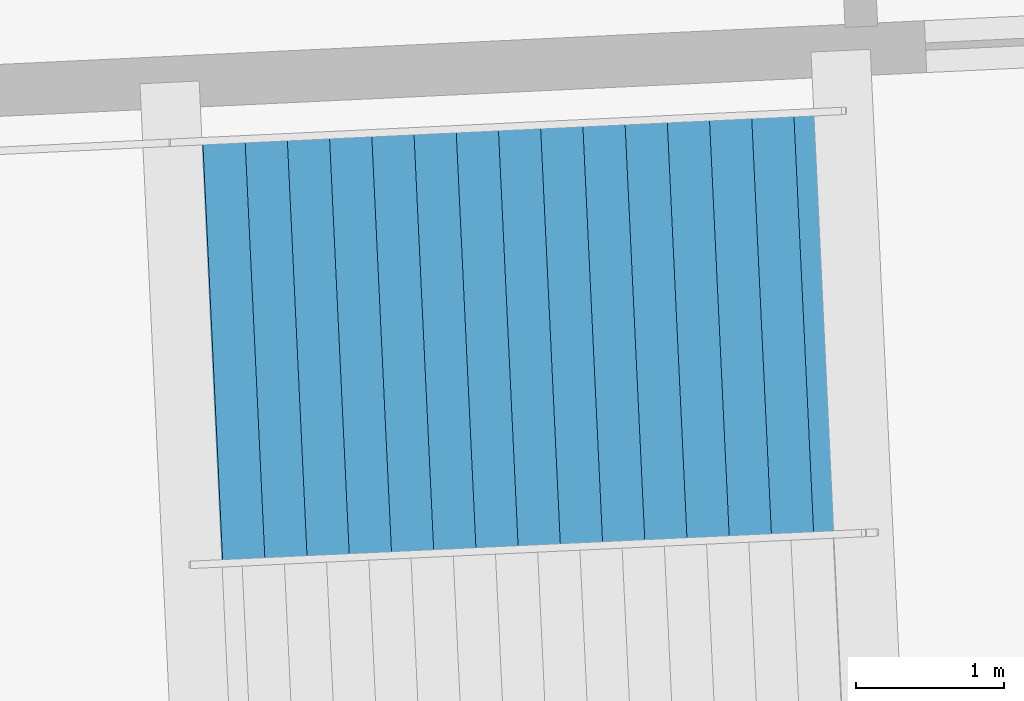
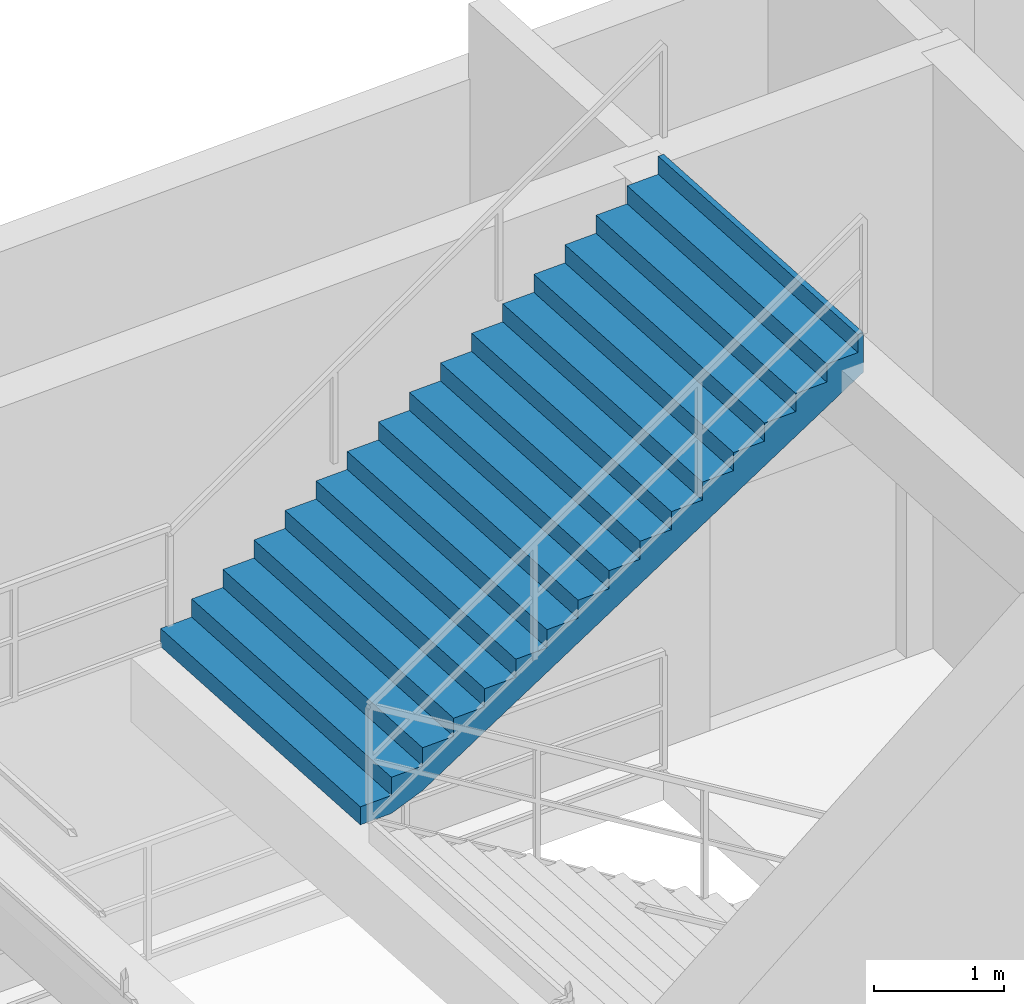
# One storey, part 38 of 48: 1 stair flight, 1 element without a shape of its own.
"""IFC4 building model written with IfcOpenShell, lengths in metres."""

import ifcopenshell
import ifcopenshell.guid

model = None  # the IFC model being written
_history = None  # IfcOwnerHistory: only IFC2X3 demands one
_inside = {}  # id of a spatial element -> (the spatial element, [elements in it])
_under = {}  # id of a project, library or spatial element -> (it, [spatial elements below it])
_declared = {}  # id of a project -> (the project, [libraries it declares])
_typed = {}  # id of a type object -> (the type object, [elements of that type])
_made_of = {}  # id of a material, layer set ... -> (it, [elements and type objects made of it])


def new_model(schema):
    """Start an empty IFC model of exactly this schema.

    Asked for "IFC4X3", IfcOpenShell would pick the latest addendum, in which some entities
    have other attributes; the version numbers below select the first issue.
    IFC2X3 requires an IfcOwnerHistory on every rooted entity: one is made here for all.
    """
    global model, _history
    if schema == "IFC4X3":
        model = ifcopenshell.file(schema_version=(4, 3, 0, 0))
    else:
        model = ifcopenshell.file(schema=schema)
    _inside.clear()
    _under.clear()
    _declared.clear()
    _typed.clear()
    _made_of.clear()
    _history = None
    if model.schema == "IFC2X3":
        org = make("IfcOrganization", Name="unknown")
        user = make(
            "IfcPersonAndOrganization",
            ThePerson=make("IfcPerson", FamilyName="unknown"),
            TheOrganization=org,
        )
        app = make(
            "IfcApplication",
            ApplicationDeveloper=org,
            Version="unknown",
            ApplicationFullName="unknown",
            ApplicationIdentifier="unknown",
        )
        _history = make(
            "IfcOwnerHistory",
            OwningUser=user,
            OwningApplication=app,
            ChangeAction="ADDED",
            CreationDate=0,
        )
    return model


def make(cls, **values):
    """One entity of the class cls with the attributes given. An attribute that is None is left unset."""
    return model.create_entity(
        cls, **{name: value for name, value in values.items() if value is not None}
    )


def rooted(cls, **values):
    """An entity with a GlobalId (a new one), such as an element, a storey or a relation."""
    return make(cls, GlobalId=ifcopenshell.guid.new(), OwnerHistory=_history, **values)


def si_unit(unit_type, name, prefix=None):
    """IfcSIUnit, for example si_unit("LENGTHUNIT", "METRE", prefix="MILLI")."""
    return make("IfcSIUnit", UnitType=unit_type, Prefix=prefix, Name=name)


def assignment(units):
    """IfcUnitAssignment: the units of a project."""
    return None if units is None else make("IfcUnitAssignment", Units=units)


def point(xyz):
    """IfcCartesianPoint."""
    return None if xyz is None else make("IfcCartesianPoint", Coordinates=xyz)


def direction(xyz):
    """IfcDirection."""
    return None if xyz is None else make("IfcDirection", DirectionRatios=xyz)


def frame(location, z_axis=None, x_axis=None):
    """IfcAxis2Placement3D, a coordinate frame: its origin and axes. An axis left out is left unset."""
    return make(
        "IfcAxis2Placement3D",
        Location=point(location),
        Axis=direction(z_axis),
        RefDirection=direction(x_axis),
    )


def origin():
    """The frame at (0, 0, 0) with its axes left unset."""
    return frame((0.0, 0.0, 0.0))


def place(relative_to, where):
    """IfcLocalPlacement: puts the frame where relative to a parent placement (None: the world)."""
    return make(
        "IfcLocalPlacement", PlacementRelTo=relative_to, RelativePlacement=where
    )


def context(
    kind, dimensions, precision=None, world=None, true_north=None, identifier=None
):
    """IfcGeometricRepresentationContext, for example the 3D "Model" context."""
    return make(
        "IfcGeometricRepresentationContext",
        ContextIdentifier=identifier,
        ContextType=kind,
        CoordinateSpaceDimension=dimensions,
        Precision=precision,
        WorldCoordinateSystem=world,
        TrueNorth=true_north,
    )


def subcontext(parent, identifier, kind, view, scale=None):
    """IfcGeometricRepresentationSubContext, for example "Body" below "Model"."""
    return make(
        "IfcGeometricRepresentationSubContext",
        ContextIdentifier=identifier,
        ContextType=kind,
        ParentContext=parent,
        TargetScale=scale,
        TargetView=view,
    )


def project(units=None, contexts=None):
    """IfcProject with its units and contexts."""
    return rooted(
        "IfcProject",
        Name="project",
        RepresentationContexts=contexts,
        UnitsInContext=assignment(units),
    )


def spatial(cls, under=None, at=None, **own):
    """A site, building, storey or space (cls), placed at a placement, below another one or the project."""
    s = rooted(cls, ObjectPlacement=at, **own)
    if under is not None:
        _under.setdefault(under.id(), (under, []))[1].append(s)
    return s


def point_list(points):
    """IfcCartesianPointList2D or 3D."""
    cls = (
        "IfcCartesianPointList2D" if len(points[0]) == 2 else "IfcCartesianPointList3D"
    )
    return make(cls, CoordList=points)


def polygons(points, faces, closed=None, point_numbers=None):
    """IfcPolygonalFaceSet: a face is its outer loop, then its inner loops; points numbered from 1."""
    made = []
    for loops in faces:
        if len(loops) == 1:
            made.append(make("IfcIndexedPolygonalFace", CoordIndex=loops[0]))
        else:
            made.append(
                make(
                    "IfcIndexedPolygonalFaceWithVoids",
                    CoordIndex=loops[0],
                    InnerCoordIndices=loops[1:],
                )
            )
    return make(
        "IfcPolygonalFaceSet",
        Coordinates=point_list(points),
        Closed=closed,
        Faces=made,
        PnIndex=point_numbers,
    )


def shape(context_of_items, identifier, shape_type, items):
    """IfcShapeRepresentation: the items that make up one representation, for example the "Body"."""
    return make(
        "IfcShapeRepresentation",
        ContextOfItems=context_of_items,
        RepresentationIdentifier=identifier,
        RepresentationType=shape_type,
        Items=items,
    )


def material(Name=None, Category=None):
    """IfcMaterial."""
    return make("IfcMaterial", Name=Name, Category=Category)


def made_of(thing, what):
    """Note that an element or type object is made of a material, layer set ...; save() writes the relation."""
    if what is not None:
        _made_of.setdefault(what.id(), (what, []))[1].append(thing)
    return thing


def type_object(cls, material=None, **own):
    """A type object (cls), such as IfcWallType, which elements share."""
    return made_of(rooted(cls, **own), material)


def element(
    cls,
    number,
    at=None,
    inside=None,
    cuts=None,
    type_object=None,
    material=None,
    context=None,
    identifier="Body",
    shape_type=None,
    held_by="IfcProductDefinitionShape",
    body=None,
    shapes=None,
    **own,
):
    """One element of the class cls, such as IfcWall. Its Tag is "e" and its number.

    at: its placement. inside: the storey or other place that contains it. cuts: it is an
    opening in that element (IfcRelVoidsElement). A single representation is given by context,
    identifier, shape_type and body (its items); several are given by shapes. held_by: the class
    of the entity that holds the representations. save() writes the other relations.
    """
    e = rooted(cls, Tag="e%d" % number, ObjectPlacement=at, **own)
    if body is not None:
        shapes = [shape(context, identifier, shape_type, body)]
    if shapes is not None:
        e.Representation = make(held_by, Representations=shapes)
    if inside is not None:
        _inside.setdefault(inside.id(), (inside, []))[1].append(e)
    if cuts is not None:
        rooted(
            "IfcRelVoidsElement", RelatingBuildingElement=cuts, RelatedOpeningElement=e
        )
    if type_object is not None:
        _typed.setdefault(type_object.id(), (type_object, []))[1].append(e)
    return made_of(e, material)


def aggregate(whole, parts):
    """IfcRelAggregates: a whole, such as a stair, and the parts it consists of."""
    return rooted("IfcRelAggregates", RelatingObject=whole, RelatedObjects=parts)


def save(model, path):
    """Write the relations noted so far, then the file.

    IfcRelAggregates (storeys below a building ...), IfcRelContainedInSpatialStructure (elements
    in a storey), IfcRelDefinesByType, IfcRelAssociatesMaterial and IfcRelDeclares: one each for
    every whole, place, type object, material and project.
    """
    for whole, parts in _under.values():
        aggregate(whole, parts)
    for where, things in _inside.values():
        rooted(
            "IfcRelContainedInSpatialStructure",
            RelatedElements=things,
            RelatingStructure=where,
        )
    for kind, things in _typed.values():
        rooted("IfcRelDefinesByType", RelatedObjects=things, RelatingType=kind)
    for what, things in _made_of.values():
        rooted("IfcRelAssociatesMaterial", RelatedObjects=things, RelatingMaterial=what)
    for by, libraries in _declared.values():
        rooted("IfcRelDeclares", RelatingContext=by, RelatedDefinitions=libraries)
    model.write(path)


model = new_model("IFC4")

# Units and contexts
model_context = context("Model", 3, precision=1e-05, world=origin(), true_north=direction((0.0, 1.0)))
body_context = subcontext(model_context, "Body", "Model", "MODEL_VIEW")
ifc_project = project(units=[si_unit("LENGTHUNIT", "METRE"), si_unit("AREAUNIT", "SQUARE_METRE"), si_unit("VOLUMEUNIT", "CUBIC_METRE"), si_unit("PLANEANGLEUNIT", "RADIAN"), si_unit("MASSUNIT", "GRAM", prefix="KILO")], contexts=[model_context])

# Site, building, storey
site_placement = place(None, origin())
site = spatial("IfcSite", under=ifc_project, at=site_placement, CompositionType="ELEMENT")
building_placement = place(site_placement, origin())
building = spatial("IfcBuilding", under=site, at=building_placement, Name="Kazemori Nagisa Stadium", CompositionType="ELEMENT")
storey_placement = place(building_placement, origin())
storey = spatial("IfcBuildingStorey", under=building, at=storey_placement, Name="L00", CompositionType="ELEMENT", Elevation=0.0)

# Stair, stair flight
ifc_material = material(Name="Concrete C36/45 (Fc36)", Category="concrete")
stair_type = type_object("IfcStairType", Name="Stair_CORE_34", PredefinedType="TWO_STRAIGHT_RUN_STAIR", material=ifc_material)
stair_placement = place(storey_placement, origin())
stair = element("IfcStair", 1, at=stair_placement, inside=storey, type_object=stair_type, Name="Exit stair ST05 L00", PredefinedType="TWO_STRAIGHT_RUN_STAIR")
stair_flight_type = type_object("IfcStairFlightType", Name="Flight_CORE_17", PredefinedType="STRAIGHT", material=ifc_material)
stair_flight_placement = place(storey_placement, frame((114.645751953125, 183.19091796875, 2.889892578125), z_axis=(0.0, 0.0, 1.0), x_axis=(0.998881904399, 0.047275163294, 0.0)))
stair_flight = element("IfcStairFlight", 2, at=stair_flight_placement, type_object=stair_flight_type, Name="Exit stair ST05 L00 flight 2", NumberOfRisers=17, NumberOfTreads=16, PredefinedType="STRAIGHT", RiserHeight=0.17, TreadLength=0.285, context=body_context, shape_type="Tessellation", body=[
    polygons([(0.0, -1.425048828125, 0.0), (0.0, -1.425048828125, 0.169921875), (0.284912109375, -1.425048828125, 0.169921875), (0.284912109375, -1.425048828125, 0.340087890625), (0.570068359375, -1.425048828125, 0.340087890625), (0.570068359375, -1.425048828125, 0.510009765625), (0.85498046875, -1.425048828125, 0.510009765625), (0.85498046875, -1.425048828125, 0.679931640625), (1.139892578125, -1.425048828125, 0.679931640625), (1.139892578125, -1.425048828125, 0.85009765625), (1.425048828125, -1.425048828125, 0.85009765625), (1.425048828125, -1.425048828125, 1.02001953125), (1.7099609375, -1.425048828125, 1.02001953125), (1.7099609375, -1.425048828125, 1.18994140625), (1.9951171875, -1.425048828125, 1.18994140625), (1.9951171875, -1.425048828125, 1.360107421875), (2.280029296875, -1.425048828125, 1.360107421875), (2.280029296875, -1.425048828125, 1.530029296875), (2.56494140625, -1.425048828125, 1.530029296875), (2.56494140625, -1.425048828125, 1.699951171875), (2.85009765625, -1.425048828125, 1.699951171875), (2.85009765625, -1.425048828125, 1.8701171875), (3.135009765625, -1.425048828125, 1.8701171875), (3.135009765625, -1.425048828125, 2.0400390625), (3.419921875, -1.425048828125, 2.0400390625), (3.419921875, -1.425048828125, 2.2099609375), (3.705078125, -1.425048828125, 2.2099609375), (3.705078125, -1.425048828125, 2.3798828125), (3.989990234375, -1.425048828125, 2.3798828125), (3.989990234375, -1.425048828125, 2.550048828125), (4.27490234375, -1.425048828125, 2.550048828125), (4.27490234375, -1.425048828125, 2.719970703125), (4.56005859375, -1.425048828125, 2.719970703125), (4.56005859375, -1.425048828125, 2.889892578125), (4.610107421875, -1.425048828125, 2.889892578125), (4.610107421875, -1.425048828125, 2.51708984375), (4.56005859375, -1.425048828125, 2.487060546875), (4.27490234375, -1.425048828125, 2.317138671875), (3.989990234375, -1.425048828125, 2.147216796875), (3.705078125, -1.425048828125, 1.977294921875), (3.419921875, -1.425048828125, 1.80712890625), (3.135009765625, -1.425048828125, 1.63720703125), (2.85009765625, -1.425048828125, 1.46728515625), (2.56494140625, -1.425048828125, 1.297119140625), (2.280029296875, -1.425048828125, 1.127197265625), (1.9951171875, -1.425048828125, 0.957275390625), (1.7099609375, -1.425048828125, 0.787109375), (1.425048828125, -1.425048828125, 0.6171875), (1.139892578125, -1.425048828125, 0.447265625), (0.85498046875, -1.425048828125, 0.277099609375), (0.570068359375, -1.425048828125, 0.107177734375), (0.284912109375, -1.425048828125, 0.0), (0.0, -0.08544921875, 0.0), (0.0, -0.08544921875, 0.169921875), (0.284912109375, -0.08544921875, 0.169921875), (0.284912109375, -0.08544921875, 0.340087890625), (0.570068359375, -0.08544921875, 0.340087890625), (0.570068359375, -0.08544921875, 0.510009765625), (0.85498046875, -0.08544921875, 0.510009765625), (0.85498046875, -0.08544921875, 0.679931640625), (1.139892578125, -0.08544921875, 0.679931640625), (1.139892578125, -0.08544921875, 0.85009765625), (1.425048828125, -0.08544921875, 0.85009765625), (1.425048828125, -0.08544921875, 1.02001953125), (1.7099609375, -0.08544921875, 1.02001953125), (1.7099609375, -0.08544921875, 1.18994140625), (1.9951171875, -0.08544921875, 1.18994140625), (1.9951171875, -0.08544921875, 1.360107421875), (2.280029296875, -0.08544921875, 1.360107421875), (2.280029296875, -0.08544921875, 1.530029296875), (2.56494140625, -0.08544921875, 1.530029296875), (2.56494140625, -0.08544921875, 1.699951171875), (2.85009765625, -0.08544921875, 1.699951171875), (2.85009765625, -0.08544921875, 1.8701171875), (3.135009765625, -0.08544921875, 1.8701171875), (3.135009765625, -0.08544921875, 2.0400390625), (3.419921875, -0.08544921875, 2.0400390625), (3.419921875, -0.08544921875, 2.2099609375), (3.705078125, -0.08544921875, 2.2099609375), (3.705078125, -0.08544921875, 2.3798828125), (3.989990234375, -0.08544921875, 2.3798828125), (3.989990234375, -0.08544921875, 2.550048828125), (4.27490234375, -0.08544921875, 2.550048828125), (4.27490234375, -0.08544921875, 2.719970703125), (4.56005859375, -0.08544921875, 2.719970703125), (4.56005859375, -0.08544921875, 2.889892578125), (4.610107421875, -0.08544921875, 2.889892578125), (4.610107421875, -0.08544921875, 2.51708984375), (4.56005859375, -0.08544921875, 2.487060546875), (4.27490234375, -0.08544921875, 2.317138671875), (3.989990234375, -0.08544921875, 2.147216796875), (3.705078125, -0.08544921875, 1.977294921875), (3.419921875, -0.08544921875, 1.80712890625), (3.135009765625, -0.08544921875, 1.63720703125), (2.85009765625, -0.08544921875, 1.46728515625), (2.56494140625, -0.08544921875, 1.297119140625), (2.280029296875, -0.08544921875, 1.127197265625), (1.9951171875, -0.08544921875, 0.957275390625), (1.7099609375, -0.08544921875, 0.787109375), (1.425048828125, -0.08544921875, 0.6171875), (1.139892578125, -0.08544921875, 0.447265625), (0.85498046875, -0.08544921875, 0.277099609375), (0.570068359375, -0.08544921875, 0.107177734375), (0.284912109375, -0.08544921875, 0.0), (0.0, 0.0, 0.0), (0.0, 0.0, 0.169921875), (0.284912109375, 0.0, 0.169921875), (0.284912109375, 0.0, 0.340087890625), (0.570068359375, 0.0, 0.340087890625), (0.570068359375, 0.0, 0.510009765625), (0.85498046875, 0.0, 0.510009765625), (0.85498046875, 0.0, 0.679931640625), (1.139892578125, 0.0, 0.679931640625), (1.139892578125, 0.0, 0.85009765625), (1.425048828125, 0.0, 0.85009765625), (1.425048828125, 0.0, 1.02001953125), (1.7099609375, 0.0, 1.02001953125), (1.7099609375, 0.0, 1.18994140625), (1.9951171875, 0.0, 1.18994140625), (1.9951171875, 0.0, 1.360107421875), (2.280029296875, 0.0, 1.360107421875), (2.280029296875, 0.0, 1.530029296875), (2.56494140625, 0.0, 1.530029296875), (2.56494140625, 0.0, 1.699951171875), (2.85009765625, 0.0, 1.699951171875), (2.85009765625, 0.0, 1.8701171875), (3.135009765625, 0.0, 1.8701171875), (3.135009765625, 0.0, 2.0400390625), (3.419921875, 0.0, 2.0400390625), (3.419921875, 0.0, 2.2099609375), (3.705078125, 0.0, 2.2099609375), (3.705078125, 0.0, 2.3798828125), (3.989990234375, 0.0, 2.3798828125), (3.989990234375, 0.0, 2.550048828125), (4.27490234375, 0.0, 2.550048828125), (4.27490234375, 0.0, 2.719970703125), (4.56005859375, 0.0, 2.719970703125), (4.56005859375, 0.0, 2.889892578125), (4.610107421875, 0.0, 2.889892578125), (4.610107421875, 0.0, 2.51708984375), (4.56005859375, 0.0, 2.487060546875), (4.27490234375, 0.0, 2.317138671875), (3.989990234375, 0.0, 2.147216796875), (3.705078125, 0.0, 1.977294921875), (3.419921875, 0.0, 1.80712890625), (3.135009765625, 0.0, 1.63720703125), (2.85009765625, 0.0, 1.46728515625), (2.56494140625, 0.0, 1.297119140625), (2.280029296875, 0.0, 1.127197265625), (1.9951171875, 0.0, 0.957275390625), (1.7099609375, 0.0, 0.787109375), (1.425048828125, 0.0, 0.6171875), (1.139892578125, 0.0, 0.447265625), (0.85498046875, 0.0, 0.277099609375), (0.570068359375, 0.0, 0.107177734375), (0.284912109375, 0.0, 0.0), (0.0, 0.08544921875, 0.0), (0.0, 0.08544921875, 0.169921875), (0.284912109375, 0.08544921875, 0.169921875), (0.284912109375, 0.08544921875, 0.340087890625), (0.570068359375, 0.08544921875, 0.340087890625), (0.570068359375, 0.08544921875, 0.510009765625), (0.85498046875, 0.08544921875, 0.510009765625), (0.85498046875, 0.08544921875, 0.679931640625), (1.139892578125, 0.08544921875, 0.679931640625), (1.139892578125, 0.08544921875, 0.85009765625), (1.425048828125, 0.08544921875, 0.85009765625), (1.425048828125, 0.08544921875, 1.02001953125), (1.7099609375, 0.08544921875, 1.02001953125), (1.7099609375, 0.08544921875, 1.18994140625), (1.9951171875, 0.08544921875, 1.18994140625), (1.9951171875, 0.08544921875, 1.360107421875), (2.280029296875, 0.08544921875, 1.360107421875), (2.280029296875, 0.08544921875, 1.530029296875), (2.56494140625, 0.08544921875, 1.530029296875), (2.56494140625, 0.08544921875, 1.699951171875), (2.85009765625, 0.08544921875, 1.699951171875), (2.85009765625, 0.08544921875, 1.8701171875), (3.135009765625, 0.08544921875, 1.8701171875), (3.135009765625, 0.08544921875, 2.0400390625), (3.419921875, 0.08544921875, 2.0400390625), (3.419921875, 0.08544921875, 2.2099609375), (3.705078125, 0.08544921875, 2.2099609375), (3.705078125, 0.08544921875, 2.3798828125), (3.989990234375, 0.08544921875, 2.3798828125), (3.989990234375, 0.08544921875, 2.550048828125), (4.27490234375, 0.08544921875, 2.550048828125), (4.27490234375, 0.08544921875, 2.719970703125), (4.56005859375, 0.08544921875, 2.719970703125), (4.56005859375, 0.08544921875, 2.889892578125), (4.610107421875, 0.08544921875, 2.889892578125), (4.610107421875, 0.08544921875, 2.51708984375), (4.56005859375, 0.08544921875, 2.487060546875), (4.27490234375, 0.08544921875, 2.317138671875), (3.989990234375, 0.08544921875, 2.147216796875), (3.705078125, 0.08544921875, 1.977294921875), (3.419921875, 0.08544921875, 1.80712890625), (3.135009765625, 0.08544921875, 1.63720703125), (2.85009765625, 0.08544921875, 1.46728515625), (2.56494140625, 0.08544921875, 1.297119140625), (2.280029296875, 0.08544921875, 1.127197265625), (1.9951171875, 0.08544921875, 0.957275390625), (1.7099609375, 0.08544921875, 0.787109375), (1.425048828125, 0.08544921875, 0.6171875), (1.139892578125, 0.08544921875, 0.447265625), (0.85498046875, 0.08544921875, 0.277099609375), (0.570068359375, 0.08544921875, 0.107177734375), (0.284912109375, 0.08544921875, 0.0), (0.0, 1.425048828125, 0.0), (0.0, 1.425048828125, 0.169921875), (0.284912109375, 1.425048828125, 0.169921875), (0.284912109375, 1.425048828125, 0.340087890625), (0.570068359375, 1.425048828125, 0.340087890625), (0.570068359375, 1.425048828125, 0.510009765625), (0.85498046875, 1.425048828125, 0.510009765625), (0.85498046875, 1.425048828125, 0.679931640625), (1.139892578125, 1.425048828125, 0.679931640625), (1.139892578125, 1.425048828125, 0.85009765625), (1.425048828125, 1.425048828125, 0.85009765625), (1.425048828125, 1.425048828125, 1.02001953125), (1.7099609375, 1.425048828125, 1.02001953125), (1.7099609375, 1.425048828125, 1.18994140625), (1.9951171875, 1.425048828125, 1.18994140625), (1.9951171875, 1.425048828125, 1.360107421875), (2.280029296875, 1.425048828125, 1.360107421875), (2.280029296875, 1.425048828125, 1.530029296875), (2.56494140625, 1.425048828125, 1.530029296875), (2.56494140625, 1.425048828125, 1.699951171875), (2.85009765625, 1.425048828125, 1.699951171875), (2.85009765625, 1.425048828125, 1.8701171875), (3.135009765625, 1.425048828125, 1.8701171875), (3.135009765625, 1.425048828125, 2.0400390625), (3.419921875, 1.425048828125, 2.0400390625), (3.419921875, 1.425048828125, 2.2099609375), (3.705078125, 1.425048828125, 2.2099609375), (3.705078125, 1.425048828125, 2.3798828125), (3.989990234375, 1.425048828125, 2.3798828125), (3.989990234375, 1.425048828125, 2.550048828125), (4.27490234375, 1.425048828125, 2.550048828125), (4.27490234375, 1.425048828125, 2.719970703125), (4.56005859375, 1.425048828125, 2.719970703125), (4.56005859375, 1.425048828125, 2.889892578125), (4.610107421875, 1.425048828125, 2.889892578125), (4.610107421875, 1.425048828125, 2.51708984375), (4.56005859375, 1.425048828125, 2.487060546875), (4.27490234375, 1.425048828125, 2.317138671875), (3.989990234375, 1.425048828125, 2.147216796875), (3.705078125, 1.425048828125, 1.977294921875), (3.419921875, 1.425048828125, 1.80712890625), (3.135009765625, 1.425048828125, 1.63720703125), (2.85009765625, 1.425048828125, 1.46728515625), (2.56494140625, 1.425048828125, 1.297119140625), (2.280029296875, 1.425048828125, 1.127197265625), (1.9951171875, 1.425048828125, 0.957275390625), (1.7099609375, 1.425048828125, 0.787109375), (1.425048828125, 1.425048828125, 0.6171875), (1.139892578125, 1.425048828125, 0.447265625), (0.85498046875, 1.425048828125, 0.277099609375), (0.570068359375, 1.425048828125, 0.107177734375), (0.284912109375, 1.425048828125, 0.0)], [[[1, 2, 54]], [[1, 54, 53]], [[2, 3, 55]], [[2, 55, 54]], [[3, 4, 56]], [[3, 56, 55]], [[4, 5, 57]], [[4, 57, 56]], [[5, 6, 58]], [[5, 58, 57]], [[6, 7, 59]], [[6, 59, 58]], [[7, 8, 60]], [[7, 60, 59]], [[8, 9, 61]], [[8, 61, 60]], [[9, 10, 62]], [[9, 62, 61]], [[10, 11, 63]], [[10, 63, 62]], [[11, 12, 64]], [[11, 64, 63]], [[12, 13, 65]], [[12, 65, 64]], [[13, 14, 66]], [[13, 66, 65]], [[14, 15, 67]], [[14, 67, 66]], [[15, 16, 68]], [[15, 68, 67]], [[16, 17, 69]], [[16, 69, 68]], [[17, 18, 70]], [[17, 70, 69]], [[18, 19, 71]], [[18, 71, 70]], [[19, 20, 72]], [[19, 72, 71]], [[20, 21, 73]], [[20, 73, 72]], [[21, 22, 74]], [[21, 74, 73]], [[22, 23, 75]], [[22, 75, 74]], [[23, 24, 76]], [[23, 76, 75]], [[24, 25, 77]], [[24, 77, 76]], [[25, 26, 78]], [[25, 78, 77]], [[26, 27, 79]], [[26, 79, 78]], [[27, 28, 80]], [[27, 80, 79]], [[28, 29, 81]], [[28, 81, 80]], [[29, 30, 82]], [[29, 82, 81]], [[30, 31, 83]], [[30, 83, 82]], [[31, 32, 84]], [[31, 84, 83]], [[32, 33, 85]], [[32, 85, 84]], [[33, 34, 86]], [[33, 86, 85]], [[34, 35, 87]], [[34, 87, 86]], [[35, 36, 88]], [[35, 88, 87]], [[36, 37, 89]], [[36, 89, 88]], [[37, 38, 90]], [[37, 90, 89]], [[38, 39, 91]], [[38, 91, 90]], [[39, 40, 92]], [[39, 92, 91]], [[40, 41, 93]], [[40, 93, 92]], [[41, 42, 94]], [[41, 94, 93]], [[42, 43, 95]], [[42, 95, 94]], [[43, 44, 96]], [[43, 96, 95]], [[44, 45, 97]], [[44, 97, 96]], [[45, 46, 98]], [[45, 98, 97]], [[46, 47, 99]], [[46, 99, 98]], [[47, 48, 100]], [[47, 100, 99]], [[48, 49, 101]], [[48, 101, 100]], [[49, 50, 102]], [[49, 102, 101]], [[50, 51, 103]], [[50, 103, 102]], [[51, 52, 104]], [[51, 104, 103]], [[52, 1, 53]], [[52, 53, 104]], [[53, 54, 106]], [[53, 106, 105]], [[54, 55, 107]], [[54, 107, 106]], [[55, 56, 108]], [[55, 108, 107]], [[56, 57, 109]], [[56, 109, 108]], [[57, 58, 110]], [[57, 110, 109]], [[58, 59, 111]], [[58, 111, 110]], [[59, 60, 112]], [[59, 112, 111]], [[60, 61, 113]], [[60, 113, 112]], [[61, 62, 114]], [[61, 114, 113]], [[62, 63, 115]], [[62, 115, 114]], [[63, 64, 116]], [[63, 116, 115]], [[64, 65, 117]], [[64, 117, 116]], [[65, 66, 118]], [[65, 118, 117]], [[66, 67, 119]], [[66, 119, 118]], [[67, 68, 120]], [[67, 120, 119]], [[68, 69, 121]], [[68, 121, 120]], [[69, 70, 122]], [[69, 122, 121]], [[70, 71, 123]], [[70, 123, 122]], [[71, 72, 124]], [[71, 124, 123]], [[72, 73, 125]], [[72, 125, 124]], [[73, 74, 126]], [[73, 126, 125]], [[74, 75, 127]], [[74, 127, 126]], [[75, 76, 128]], [[75, 128, 127]], [[76, 77, 129]], [[76, 129, 128]], [[77, 78, 130]], [[77, 130, 129]], [[78, 79, 131]], [[78, 131, 130]], [[79, 80, 132]], [[79, 132, 131]], [[80, 81, 133]], [[80, 133, 132]], [[81, 82, 134]], [[81, 134, 133]], [[82, 83, 135]], [[82, 135, 134]], [[83, 84, 136]], [[83, 136, 135]], [[84, 85, 137]], [[84, 137, 136]], [[85, 86, 138]], [[85, 138, 137]], [[86, 87, 139]], [[86, 139, 138]], [[87, 88, 140]], [[87, 140, 139]], [[88, 89, 141]], [[88, 141, 140]], [[89, 90, 142]], [[89, 142, 141]], [[90, 91, 143]], [[90, 143, 142]], [[91, 92, 144]], [[91, 144, 143]], [[92, 93, 145]], [[92, 145, 144]], [[93, 94, 146]], [[93, 146, 145]], [[94, 95, 147]], [[94, 147, 146]], [[95, 96, 148]], [[95, 148, 147]], [[96, 97, 149]], [[96, 149, 148]], [[97, 98, 150]], [[97, 150, 149]], [[98, 99, 151]], [[98, 151, 150]], [[99, 100, 152]], [[99, 152, 151]], [[100, 101, 153]], [[100, 153, 152]], [[101, 102, 154]], [[101, 154, 153]], [[102, 103, 155]], [[102, 155, 154]], [[103, 104, 156]], [[103, 156, 155]], [[104, 53, 105]], [[104, 105, 156]], [[105, 106, 158]], [[105, 158, 157]], [[106, 107, 159]], [[106, 159, 158]], [[107, 108, 160]], [[107, 160, 159]], [[108, 109, 161]], [[108, 161, 160]], [[109, 110, 162]], [[109, 162, 161]], [[110, 111, 163]], [[110, 163, 162]], [[111, 112, 164]], [[111, 164, 163]], [[112, 113, 165]], [[112, 165, 164]], [[113, 114, 166]], [[113, 166, 165]], [[114, 115, 167]], [[114, 167, 166]], [[115, 116, 168]], [[115, 168, 167]], [[116, 117, 169]], [[116, 169, 168]], [[117, 118, 170]], [[117, 170, 169]], [[118, 119, 171]], [[118, 171, 170]], [[119, 120, 172]], [[119, 172, 171]], [[120, 121, 173]], [[120, 173, 172]], [[121, 122, 174]], [[121, 174, 173]], [[122, 123, 175]], [[122, 175, 174]], [[123, 124, 176]], [[123, 176, 175]], [[124, 125, 177]], [[124, 177, 176]], [[125, 126, 178]], [[125, 178, 177]], [[126, 127, 179]], [[126, 179, 178]], [[127, 128, 180]], [[127, 180, 179]], [[128, 129, 181]], [[128, 181, 180]], [[129, 130, 182]], [[129, 182, 181]], [[130, 131, 183]], [[130, 183, 182]], [[131, 132, 184]], [[131, 184, 183]], [[132, 133, 185]], [[132, 185, 184]], [[133, 134, 186]], [[133, 186, 185]], [[134, 135, 187]], [[134, 187, 186]], [[135, 136, 188]], [[135, 188, 187]], [[136, 137, 189]], [[136, 189, 188]], [[137, 138, 190]], [[137, 190, 189]], [[138, 139, 191]], [[138, 191, 190]], [[139, 140, 192]], [[139, 192, 191]], [[140, 141, 193]], [[140, 193, 192]], [[141, 142, 194]], [[141, 194, 193]], [[142, 143, 195]], [[142, 195, 194]], [[143, 144, 196]], [[143, 196, 195]], [[144, 145, 197]], [[144, 197, 196]], [[145, 146, 198]], [[145, 198, 197]], [[146, 147, 199]], [[146, 199, 198]], [[147, 148, 200]], [[147, 200, 199]], [[148, 149, 201]], [[148, 201, 200]], [[149, 150, 202]], [[149, 202, 201]], [[150, 151, 203]], [[150, 203, 202]], [[151, 152, 204]], [[151, 204, 203]], [[152, 153, 205]], [[152, 205, 204]], [[153, 154, 206]], [[153, 206, 205]], [[154, 155, 207]], [[154, 207, 206]], [[155, 156, 208]], [[155, 208, 207]], [[156, 105, 157]], [[156, 157, 208]], [[157, 158, 210]], [[157, 210, 209]], [[158, 159, 211]], [[158, 211, 210]], [[159, 160, 212]], [[159, 212, 211]], [[160, 161, 213]], [[160, 213, 212]], [[161, 162, 214]], [[161, 214, 213]], [[162, 163, 215]], [[162, 215, 214]], [[163, 164, 216]], [[163, 216, 215]], [[164, 165, 217]], [[164, 217, 216]], [[165, 166, 218]], [[165, 218, 217]], [[166, 167, 219]], [[166, 219, 218]], [[167, 168, 220]], [[167, 220, 219]], [[168, 169, 221]], [[168, 221, 220]], [[169, 170, 222]], [[169, 222, 221]], [[170, 171, 223]], [[170, 223, 222]], [[171, 172, 224]], [[171, 224, 223]], [[172, 173, 225]], [[172, 225, 224]], [[173, 174, 226]], [[173, 226, 225]], [[174, 175, 227]], [[174, 227, 226]], [[175, 176, 228]], [[175, 228, 227]], [[176, 177, 229]], [[176, 229, 228]], [[177, 178, 230]], [[177, 230, 229]], [[178, 179, 231]], [[178, 231, 230]], [[179, 180, 232]], [[179, 232, 231]], [[180, 181, 233]], [[180, 233, 232]], [[181, 182, 234]], [[181, 234, 233]], [[182, 183, 235]], [[182, 235, 234]], [[183, 184, 236]], [[183, 236, 235]], [[184, 185, 237]], [[184, 237, 236]], [[185, 186, 238]], [[185, 238, 237]], [[186, 187, 239]], [[186, 239, 238]], [[187, 188, 240]], [[187, 240, 239]], [[188, 189, 241]], [[188, 241, 240]], [[189, 190, 242]], [[189, 242, 241]], [[190, 191, 243]], [[190, 243, 242]], [[191, 192, 244]], [[191, 244, 243]], [[192, 193, 245]], [[192, 245, 244]], [[193, 194, 246]], [[193, 246, 245]], [[194, 195, 247]], [[194, 247, 246]], [[195, 196, 248]], [[195, 248, 247]], [[196, 197, 249]], [[196, 249, 248]], [[197, 198, 250]], [[197, 250, 249]], [[198, 199, 251]], [[198, 251, 250]], [[199, 200, 252]], [[199, 252, 251]], [[200, 201, 253]], [[200, 253, 252]], [[201, 202, 254]], [[201, 254, 253]], [[202, 203, 255]], [[202, 255, 254]], [[203, 204, 256]], [[203, 256, 255]], [[204, 205, 257]], [[204, 257, 256]], [[205, 206, 258]], [[205, 258, 257]], [[206, 207, 259]], [[206, 259, 258]], [[207, 208, 260]], [[207, 260, 259]], [[208, 157, 209]], [[208, 209, 260]], [[3, 2, 1]], [[209, 210, 211]], [[52, 3, 1]], [[209, 211, 260]], [[51, 3, 52]], [[260, 211, 259]], [[5, 3, 51]], [[259, 211, 213]], [[5, 4, 3]], [[211, 212, 213]], [[50, 5, 51]], [[259, 213, 258]], [[7, 5, 50]], [[258, 213, 215]], [[7, 6, 5]], [[213, 214, 215]], [[49, 7, 50]], [[258, 215, 257]], [[9, 7, 49]], [[257, 215, 217]], [[9, 8, 7]], [[215, 216, 217]], [[48, 9, 49]], [[257, 217, 256]], [[11, 9, 48]], [[256, 217, 219]], [[11, 10, 9]], [[217, 218, 219]], [[47, 11, 48]], [[256, 219, 255]], [[13, 11, 47]], [[255, 219, 221]], [[13, 12, 11]], [[219, 220, 221]], [[46, 13, 47]], [[255, 221, 254]], [[15, 13, 46]], [[254, 221, 223]], [[15, 14, 13]], [[221, 222, 223]], [[45, 15, 46]], [[254, 223, 253]], [[17, 15, 45]], [[253, 223, 225]], [[17, 16, 15]], [[223, 224, 225]], [[44, 17, 45]], [[253, 225, 252]], [[19, 17, 44]], [[252, 225, 227]], [[19, 18, 17]], [[225, 226, 227]], [[43, 19, 44]], [[252, 227, 251]], [[21, 19, 43]], [[251, 227, 229]], [[21, 20, 19]], [[227, 228, 229]], [[42, 21, 43]], [[251, 229, 250]], [[23, 21, 42]], [[250, 229, 231]], [[23, 22, 21]], [[229, 230, 231]], [[41, 23, 42]], [[250, 231, 249]], [[25, 23, 41]], [[249, 231, 233]], [[25, 24, 23]], [[231, 232, 233]], [[40, 25, 41]], [[249, 233, 248]], [[27, 25, 40]], [[248, 233, 235]], [[27, 26, 25]], [[233, 234, 235]], [[39, 27, 40]], [[248, 235, 247]], [[29, 27, 39]], [[247, 235, 237]], [[29, 28, 27]], [[235, 236, 237]], [[38, 29, 39]], [[247, 237, 246]], [[31, 29, 38]], [[246, 237, 239]], [[31, 30, 29]], [[237, 238, 239]], [[37, 31, 38]], [[246, 239, 245]], [[33, 31, 37]], [[245, 239, 241]], [[33, 32, 31]], [[239, 240, 241]], [[36, 33, 37]], [[245, 241, 244]], [[35, 33, 36]], [[244, 241, 243]], [[35, 34, 33]], [[241, 242, 243]]], closed=True),
])
aggregate(stair, [stair_flight])

save(model, "model.ifc")
